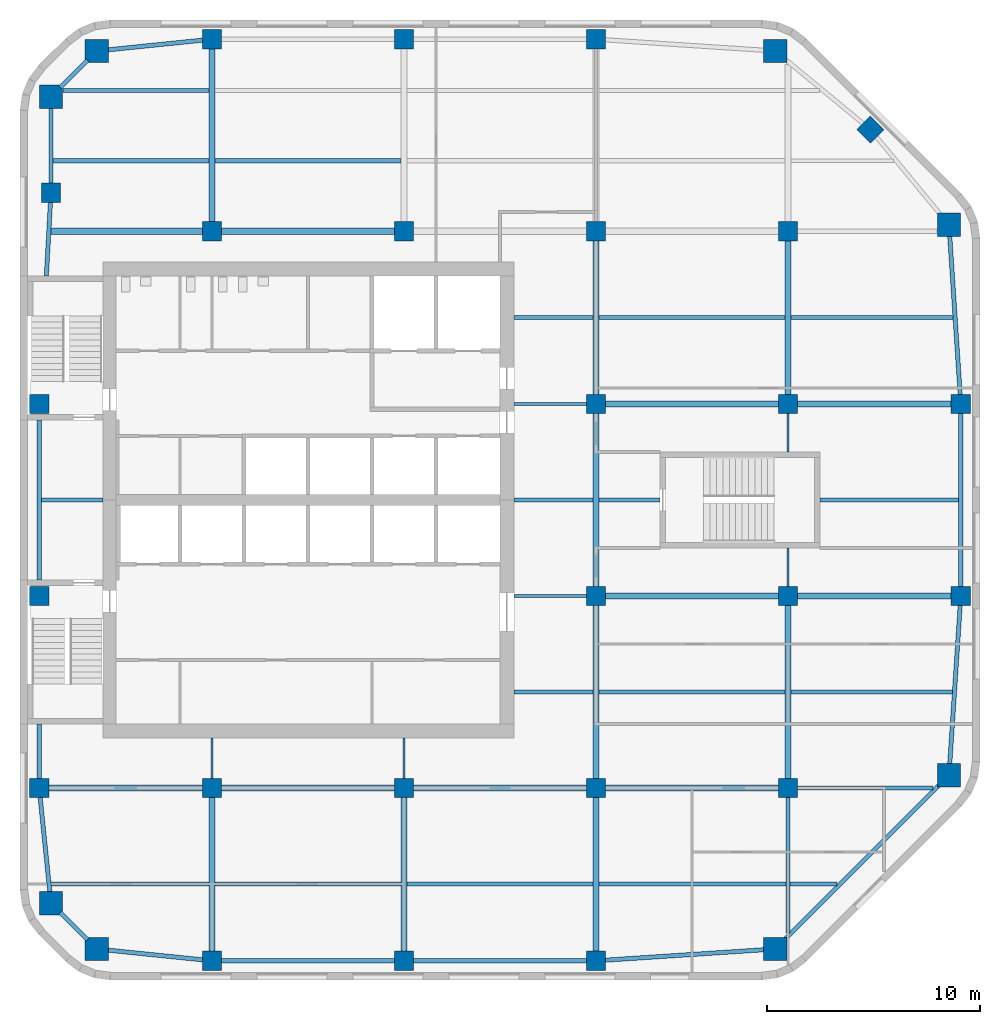
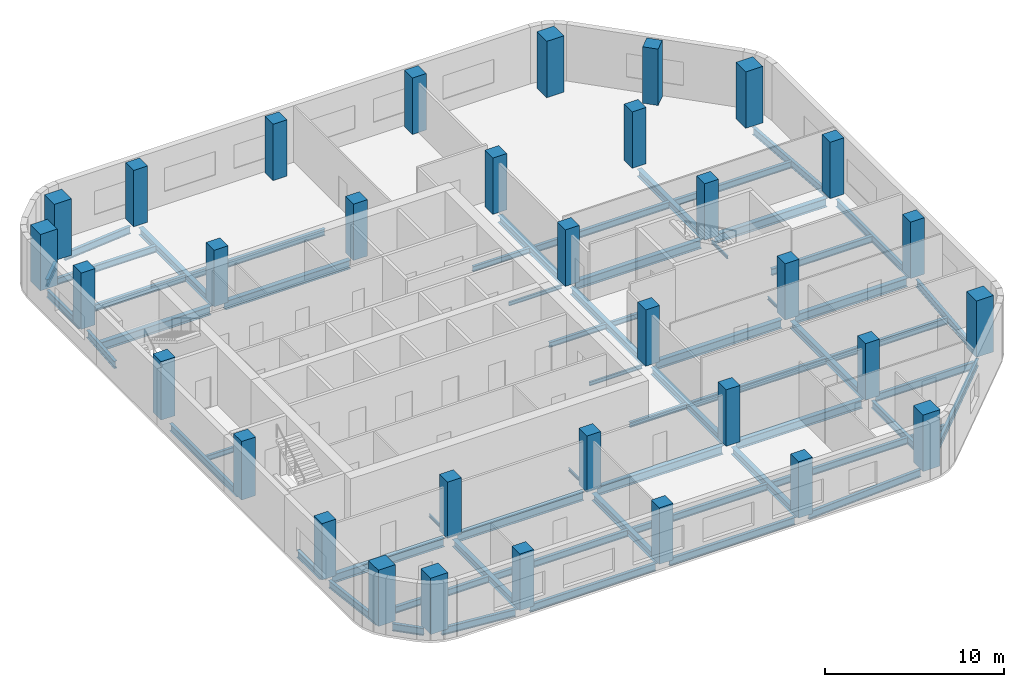
# One storey, part 1 of 7: 61 beams, 33 columns.
"""IFC4 building model written with IfcOpenShell, lengths in metres."""

from ifc_helpers import new_model, si_unit, direction, frame, origin, origin_2d, place, context, subcontext, project, spatial, rectangle, i_section, extrude, material, material_profile, profile_set, type_object, element, save


model = new_model("IFC4")

# Units and contexts
model_context = context("Model", 3, precision=1e-05, world=origin(), true_north=direction((0.0, 1.0)))
body_context = subcontext(model_context, "Body", "Model", "MODEL_VIEW")
ifc_project = project(units=[si_unit("LENGTHUNIT", "METRE"), si_unit("AREAUNIT", "SQUARE_METRE"), si_unit("VOLUMEUNIT", "CUBIC_METRE"), si_unit("PLANEANGLEUNIT", "RADIAN"), si_unit("MASSUNIT", "GRAM", prefix="KILO")], contexts=[model_context])

# Site, building, storey
site_placement = place(None, origin())
site = spatial("IfcSite", under=ifc_project, at=site_placement, CompositionType="ELEMENT")
building_placement = place(site_placement, origin())
building = spatial("IfcBuilding", under=site, at=building_placement, Name="Cinnabar Reach Civic Tower", CompositionType="ELEMENT")
storey_placement = place(building_placement, frame((0.0, 0.0, 173.0)))
storey = spatial("IfcBuildingStorey", under=building, at=storey_placement, Name="L41", CompositionType="ELEMENT", Elevation=173.0)

# Columns
ifc_material_1 = material(Name="Concrete C80", Category="concrete")
ifc_material_profile_1 = material_profile(ifc_material_1, rectangle(XDim=1.1, YDim=1.1, at=origin_2d()), Name="RC1100")
ifc_profile_set_1 = profile_set([ifc_material_profile_1], Name="Concrete C80")
column_type_1 = type_object("IfcColumnType", Name="RC1100 column R 240", PredefinedType="COLUMN", material=ifc_profile_set_1)
for number, where, z_axis, x_axis, name in (
    (1, (3.6019, 10.4531, 0.0), (0.0, 0.0, 1.0), (1.0, 0.0, 0.0), "Column T1-Z3-CC0"),
    (2, (35.3981, 10.4531, 0.0), (0.0, 0.0, 1.0), (1.0, 0.0, 0.0), "Column T1-Z3-CC1"),
    (3, (43.5469, 18.6019, 0.0), (0.0, 0.0, 1.0), (1.0, 0.0, 0.0), "Column T1-Z3-CC2"),
    (4, (43.5469, 44.3981, 0.0), (0.0, 0.0, 1.0), (1.0, 0.0, 0.0), "Column T1-Z3-CC3"),
    (5, (35.3981, 52.5469, 0.0), (0.0, 0.0, 1.0), (1.0, 0.0, 0.0), "Column T1-Z3-CC4"),
    (6, (3.6019, 52.5469, 0.0), (0.0, 0.0, 1.0), (1.0, 0.0, 0.0), "Column T1-Z3-CC5"),
    (7, (1.4531, 50.3981, 0.0), (0.0, 0.0, 1.0), (1.0, 0.0, 0.0), "Column T1-Z3-CC6"),
    (8, (1.4531, 12.6019, 0.0), (0.0, 0.0, 1.0), (1.0, 0.0, 0.0), "Column T1-Z3-CC7"),
):
    element("IfcColumn", number, at=place(storey_placement, frame(where, z_axis=z_axis, x_axis=x_axis)), inside=storey, type_object=column_type_1, Name=name, PredefinedType="COLUMN", context=body_context, shape_type="SweptSolid", body=[
        extrude(rectangle(XDim=1.1, YDim=1.1, at=origin_2d()), origin(), (0.0, 0.0, 1.0), 3.85),
    ])
ifc_material_2 = material(Name="Concrete C70", Category="concrete")
ifc_material_profile_2 = material_profile(ifc_material_2, rectangle(XDim=0.9, YDim=0.9, at=origin_2d()), Name="RC900")
ifc_profile_set_2 = profile_set([ifc_material_profile_2], Name="Concrete C70")
column_type_2 = type_object("IfcColumnType", Name="RC900 column R 240", PredefinedType="COLUMN", material=ifc_profile_set_2)
for number, where, z_axis, x_axis, name in (
    (9, (9.0, 9.9, 0.0), (0.0, 0.0, 1.0), (1.0, 0.0, 0.0), "Column T1-Z3-F0-1"),
    (10, (18.0, 9.9, 0.0), (0.0, 0.0, 1.0), (1.0, 0.0, 0.0), "Column T1-Z3-F0-2"),
    (11, (27.0, 9.9, 0.0), (0.0, 0.0, 1.0), (1.0, 0.0, 0.0), "Column T1-Z3-F0-3"),
    (12, (44.1, 27.0, 0.0), (0.0, 0.0, 1.0), (1.0, 0.0, 0.0), "Column T1-Z3-F2-3"),
    (13, (44.1, 36.0, 0.0), (0.0, 0.0, 1.0), (1.0, 0.0, 0.0), "Column T1-Z3-F2-4"),
    (14, (39.8636, 48.8636, 0.0), (0.0, 0.0, 1.0), (0.707106781187, 0.707106781187, 0.0), "Column T1-Z3-F3-M"),
    (15, (9.0, 53.1, 0.0), (0.0, 0.0, 1.0), (1.0, 0.0, 0.0), "Column T1-Z3-F4-1"),
    (16, (18.0, 53.1, 0.0), (0.0, 0.0, 1.0), (1.0, 0.0, 0.0), "Column T1-Z3-F4-2"),
    (17, (27.0, 53.1, 0.0), (0.0, 0.0, 1.0), (1.0, 0.0, 0.0), "Column T1-Z3-F4-3"),
    (18, (0.9, 18.0, 0.0), (0.0, 0.0, 1.0), (1.0, 0.0, 0.0), "Column T1-Z3-F6-2"),
):
    element("IfcColumn", number, at=place(storey_placement, frame(where, z_axis=z_axis, x_axis=x_axis)), inside=storey, type_object=column_type_2, Name=name, PredefinedType="COLUMN", context=body_context, shape_type="SweptSolid", body=[
        extrude(rectangle(XDim=0.9, YDim=0.9, at=origin_2d()), origin(), (0.0, 0.0, 1.0), 3.85),
    ])
for number, where, z_axis, x_axis, name in (
    (19, (0.9, 27.0, 0.0), (0.0, 0.0, 1.0), (1.0, 0.0, 0.0), "Column T1-Z3-F6-3"),
    (20, (0.9, 36.0, 0.0), (0.0, 0.0, 1.0), (1.0, 0.0, 0.0), "Column T1-Z3-F6-4"),
):
    element("IfcColumn", number, at=place(storey_placement, frame(where, z_axis=z_axis, x_axis=x_axis)), inside=storey, type_object=column_type_2, Name=name, PredefinedType="COLUMN", context=body_context, shape_type="SweptSolid", body=[
        extrude(rectangle(XDim=0.9, YDim=0.9, at=origin_2d()), origin(), (0.0, 0.0, 1.0), 4.0),
    ])
for number, where, z_axis, x_axis, name in (
    (21, (1.4531, 45.8981, 0.0), (0.0, 0.0, 1.0), (1.0, 0.0, 0.0), "Column T1-Z3-F6-5"),
    (22, (9.0, 18.0, 0.0), (0.0, 0.0, 1.0), (1.0, 0.0, 0.0), "Column T1-Z3-I9_18"),
    (23, (9.0, 44.1, 0.0), (0.0, 0.0, 1.0), (1.0, 0.0, 0.0), "Column T1-Z3-I9_45"),
    (24, (18.0, 18.0, 0.0), (0.0, 0.0, 1.0), (1.0, 0.0, 0.0), "Column T1-Z3-I18_18"),
    (25, (18.0, 44.1, 0.0), (0.0, 0.0, 1.0), (1.0, 0.0, 0.0), "Column T1-Z3-I18_45"),
    (26, (27.0, 18.0, 0.0), (0.0, 0.0, 1.0), (1.0, 0.0, 0.0), "Column T1-Z3-I27_18"),
    (27, (27.0, 27.0, 0.0), (0.0, 0.0, 1.0), (1.0, 0.0, 0.0), "Column T1-Z3-I27_27"),
    (28, (27.0, 36.0, 0.0), (0.0, 0.0, 1.0), (1.0, 0.0, 0.0), "Column T1-Z3-I27_36"),
    (29, (27.0, 44.1, 0.0), (0.0, 0.0, 1.0), (1.0, 0.0, 0.0), "Column T1-Z3-I27_45"),
    (30, (36.0, 18.0, 0.0), (0.0, 0.0, 1.0), (1.0, 0.0, 0.0), "Column T1-Z3-I36_18"),
    (31, (36.0, 27.0, 0.0), (0.0, 0.0, 1.0), (1.0, 0.0, 0.0), "Column T1-Z3-I36_27"),
    (32, (36.0, 36.0, 0.0), (0.0, 0.0, 1.0), (1.0, 0.0, 0.0), "Column T1-Z3-I36_36"),
    (33, (36.0, 44.1, 0.0), (0.0, 0.0, 1.0), (1.0, 0.0, 0.0), "Column T1-Z3-I36_45"),
):
    element("IfcColumn", number, at=place(storey_placement, frame(where, z_axis=z_axis, x_axis=x_axis)), inside=storey, type_object=column_type_2, Name=name, PredefinedType="COLUMN", context=body_context, shape_type="SweptSolid", body=[
        extrude(rectangle(XDim=0.9, YDim=0.9, at=origin_2d()), origin(), (0.0, 0.0, 1.0), 3.85),
    ])

# Beams
ifc_material_3 = material(Name="Steel Q355B", Category="steel")
ifc_material_profile_3 = material_profile(ifc_material_3, i_section(OverallWidth=0.3, OverallDepth=0.488, WebThickness=0.011, FlangeThickness=0.018, FilletRadius=0.016, at=origin_2d()), Name="HM488x300x11x18")
ifc_profile_set_3 = profile_set([ifc_material_profile_3], Name="Steel Q355B")
beam_type_1 = type_object("IfcBeamType", Name="HM488x300x11x18 beam R 180", PredefinedType="BEAM", material=ifc_profile_set_3)
beam_1_placement = place(storey_placement, frame((9.0, 10.352, -0.394), z_axis=(0.0, 1.0, 0.0), x_axis=(-1.0, 0.0, 0.0)))
element("IfcBeam", 34, at=beam_1_placement, inside=storey, type_object=beam_type_1, Name="Girder T1 L41 1", PredefinedType="BEAM", context=body_context, shape_type="SweptSolid", body=[
    extrude(i_section(OverallWidth=0.3, OverallDepth=0.488, WebThickness=0.011, FlangeThickness=0.018, FilletRadius=0.016, at=origin_2d()), origin(), (0.0, 0.0, 1.0), 7.196),
])
beam_2_placement = place(storey_placement, frame((9.0, 44.552, -0.394), z_axis=(0.0, 1.0, 0.0), x_axis=(-1.0, 0.0, 0.0)))
element("IfcBeam", 35, at=beam_2_placement, inside=storey, type_object=beam_type_1, Name="Girder T1 L41 3", PredefinedType="BEAM", context=body_context, shape_type="SweptSolid", body=[
    extrude(i_section(OverallWidth=0.3, OverallDepth=0.488, WebThickness=0.011, FlangeThickness=0.018, FilletRadius=0.016, at=origin_2d()), origin(), (0.0, 0.0, 1.0), 8.096),
])
for number, where, z_axis, x_axis, name in (
    (36, (18.0, 10.352, -0.394), (0.0, 1.0, 0.0), (-1.0, 0.0, 0.0), "Girder T1 L41 4"),
    (37, (27.0, 10.352, -0.394), (0.0, 1.0, 0.0), (-1.0, 0.0, 0.0), "Girder T1 L41 7"),
):
    element("IfcBeam", number, at=place(storey_placement, frame(where, z_axis=z_axis, x_axis=x_axis)), inside=storey, type_object=beam_type_1, Name=name, PredefinedType="BEAM", context=body_context, shape_type="SweptSolid", body=[
        extrude(i_section(OverallWidth=0.3, OverallDepth=0.488, WebThickness=0.011, FlangeThickness=0.018, FilletRadius=0.016, at=origin_2d()), origin(), (0.0, 0.0, 1.0), 7.196),
    ])
for number, where, z_axis, x_axis, name in (
    (38, (27.0, 18.452, -0.394), (0.0, 1.0, 0.0), (-1.0, 0.0, 0.0), "Girder T1 L41 8"),
    (39, (27.0, 27.452, -0.394), (0.0, 1.0, 0.0), (-1.0, 0.0, 0.0), "Girder T1 L41 9"),
):
    element("IfcBeam", number, at=place(storey_placement, frame(where, z_axis=z_axis, x_axis=x_axis)), inside=storey, type_object=beam_type_1, Name=name, PredefinedType="BEAM", context=body_context, shape_type="SweptSolid", body=[
        extrude(i_section(OverallWidth=0.3, OverallDepth=0.488, WebThickness=0.011, FlangeThickness=0.018, FilletRadius=0.016, at=origin_2d()), origin(), (0.0, 0.0, 1.0), 8.096),
    ])
beam_3_placement = place(storey_placement, frame((27.0, 36.452, -0.394), z_axis=(0.0, 1.0, 0.0), x_axis=(-1.0, 0.0, 0.0)))
element("IfcBeam", 40, at=beam_3_placement, inside=storey, type_object=beam_type_1, Name="Girder T1 L41 10", PredefinedType="BEAM", context=body_context, shape_type="SweptSolid", body=[
    extrude(i_section(OverallWidth=0.3, OverallDepth=0.488, WebThickness=0.011, FlangeThickness=0.018, FilletRadius=0.016, at=origin_2d()), origin(), (0.0, 0.0, 1.0), 7.196),
])
beam_4_placement = place(storey_placement, frame((36.0, 18.452, -0.394), z_axis=(0.0, 1.0, 0.0), x_axis=(-1.0, 0.0, 0.0)))
element("IfcBeam", 41, at=beam_4_placement, inside=storey, type_object=beam_type_1, Name="Girder T1 L41 13", PredefinedType="BEAM", context=body_context, shape_type="SweptSolid", body=[
    extrude(i_section(OverallWidth=0.3, OverallDepth=0.488, WebThickness=0.011, FlangeThickness=0.018, FilletRadius=0.016, at=origin_2d()), origin(), (0.0, 0.0, 1.0), 8.096),
])
beam_5_placement = place(storey_placement, frame((36.0, 36.452, -0.394), z_axis=(0.0, 1.0, 0.0), x_axis=(-1.0, 0.0, 0.0)))
element("IfcBeam", 42, at=beam_5_placement, inside=storey, type_object=beam_type_1, Name="Girder T1 L41 16", PredefinedType="BEAM", context=body_context, shape_type="SweptSolid", body=[
    extrude(i_section(OverallWidth=0.3, OverallDepth=0.488, WebThickness=0.011, FlangeThickness=0.018, FilletRadius=0.016, at=origin_2d()), origin(), (0.0, 0.0, 1.0), 7.196),
])
ifc_material_profile_4 = material_profile(ifc_material_3, i_section(OverallWidth=0.3, OverallDepth=0.588, WebThickness=0.012, FlangeThickness=0.02, FilletRadius=0.016, at=origin_2d()), Name="HM588x300x12x20")
ifc_profile_set_4 = profile_set([ifc_material_profile_4], Name="Steel Q355B")
beam_type_2 = type_object("IfcBeamType", Name="HM588x300x12x20 beam R 180", PredefinedType="BEAM", material=ifc_profile_set_4)
beam_6_placement = place(storey_placement, frame((1.352, 18.0, -0.444), z_axis=(1.0, 0.0, 0.0), x_axis=(0.0, 1.0, 0.0)))
element("IfcBeam", 43, at=beam_6_placement, inside=storey, type_object=beam_type_2, Name="Girder T1 L41 1", PredefinedType="BEAM", context=body_context, shape_type="SweptSolid", body=[
    extrude(i_section(OverallWidth=0.3, OverallDepth=0.588, WebThickness=0.012, FlangeThickness=0.02, FilletRadius=0.016, at=origin_2d()), origin(), (0.0, 0.0, 1.0), 7.196),
])
for number, where, z_axis, x_axis, name in (
    (44, (9.452, 18.0, -0.444), (1.0, 0.0, 0.0), (0.0, 1.0, 0.0), "Girder T1 L41 2"),
    (45, (18.452, 18.0, -0.444), (1.0, 0.0, 0.0), (0.0, 1.0, 0.0), "Girder T1 L41 3"),
    (46, (27.452, 18.0, -0.444), (1.0, 0.0, 0.0), (0.0, 1.0, 0.0), "Girder T1 L41 4"),
    (47, (27.452, 27.0, -0.444), (1.0, 0.0, 0.0), (0.0, 1.0, 0.0), "Girder T1 L41 7"),
):
    element("IfcBeam", number, at=place(storey_placement, frame(where, z_axis=z_axis, x_axis=x_axis)), inside=storey, type_object=beam_type_2, Name=name, PredefinedType="BEAM", context=body_context, shape_type="SweptSolid", body=[
        extrude(i_section(OverallWidth=0.3, OverallDepth=0.588, WebThickness=0.012, FlangeThickness=0.02, FilletRadius=0.016, at=origin_2d()), origin(), (0.0, 0.0, 1.0), 8.096),
    ])
beam_7_placement = place(storey_placement, frame((36.452, 27.0, -0.444), z_axis=(1.0, 0.0, 0.0), x_axis=(0.0, 1.0, 0.0)))
element("IfcBeam", 48, at=beam_7_placement, inside=storey, type_object=beam_type_2, Name="Girder T1 L41 8", PredefinedType="BEAM", context=body_context, shape_type="SweptSolid", body=[
    extrude(i_section(OverallWidth=0.3, OverallDepth=0.588, WebThickness=0.012, FlangeThickness=0.02, FilletRadius=0.016, at=origin_2d()), origin(), (0.0, 0.0, 1.0), 7.196),
])
beam_8_placement = place(storey_placement, frame((27.452, 36.0, -0.444), z_axis=(1.0, 0.0, 0.0), x_axis=(0.0, 1.0, 0.0)))
element("IfcBeam", 49, at=beam_8_placement, inside=storey, type_object=beam_type_2, Name="Girder T1 L41 10", PredefinedType="BEAM", context=body_context, shape_type="SweptSolid", body=[
    extrude(i_section(OverallWidth=0.3, OverallDepth=0.588, WebThickness=0.012, FlangeThickness=0.02, FilletRadius=0.016, at=origin_2d()), origin(), (0.0, 0.0, 1.0), 8.096),
])
beam_9_placement = place(storey_placement, frame((36.452, 36.0, -0.444), z_axis=(1.0, 0.0, 0.0), x_axis=(0.0, 1.0, 0.0)))
element("IfcBeam", 50, at=beam_9_placement, inside=storey, type_object=beam_type_2, Name="Girder T1 L41 11", PredefinedType="BEAM", context=body_context, shape_type="SweptSolid", body=[
    extrude(i_section(OverallWidth=0.3, OverallDepth=0.588, WebThickness=0.012, FlangeThickness=0.02, FilletRadius=0.016, at=origin_2d()), origin(), (0.0, 0.0, 1.0), 7.196),
])
beam_10_placement = place(storey_placement, frame((1.4548, 44.1, -0.444), z_axis=(1.0, 0.0, 0.0), x_axis=(0.0, 1.0, 0.0)))
element("IfcBeam", 51, at=beam_10_placement, inside=storey, type_object=beam_type_2, Name="Girder T1 L41 12", PredefinedType="BEAM", context=body_context, shape_type="SweptSolid", body=[
    extrude(i_section(OverallWidth=0.3, OverallDepth=0.588, WebThickness=0.012, FlangeThickness=0.02, FilletRadius=0.016, at=origin_2d()), origin(), (0.0, 0.0, 1.0), 7.0932),
])
beam_11_placement = place(storey_placement, frame((9.452, 44.1, -0.444), z_axis=(1.0, 0.0, 0.0), x_axis=(0.0, 1.0, 0.0)))
element("IfcBeam", 52, at=beam_11_placement, inside=storey, type_object=beam_type_2, Name="Girder T1 L41 13", PredefinedType="BEAM", context=body_context, shape_type="SweptSolid", body=[
    extrude(i_section(OverallWidth=0.3, OverallDepth=0.588, WebThickness=0.012, FlangeThickness=0.02, FilletRadius=0.016, at=origin_2d()), origin(), (0.0, 0.0, 1.0), 8.096),
])
ifc_material_profile_5 = material_profile(ifc_material_3, i_section(OverallWidth=0.099, OverallDepth=0.198, WebThickness=0.0045, FlangeThickness=0.007, FilletRadius=0.013, at=origin_2d()), Name="HN200x100x5.5x8")
ifc_profile_set_5 = profile_set([ifc_material_profile_5], Name="Steel Q355B")
beam_type_3 = type_object("IfcBeamType", Name="HN200x100x5.5x8 beam R 180", PredefinedType="BEAM", material=ifc_profile_set_5)
for number, where, z_axis, x_axis, name in (
    (53, (9.0, 18.452, -0.249), (0.0, 1.0, 0.0), (-1.0, 0.0, 0.0), "Girder T1 L41 2"),
    (54, (18.0, 18.452, -0.249), (0.0, 1.0, 0.0), (-1.0, 0.0, 0.0), "Girder T1 L41 5"),
):
    element("IfcBeam", number, at=place(storey_placement, frame(where, z_axis=z_axis, x_axis=x_axis)), inside=storey, type_object=beam_type_3, Name=name, PredefinedType="BEAM", context=body_context, shape_type="SweptSolid", body=[
        extrude(i_section(OverallWidth=0.099, OverallDepth=0.198, WebThickness=0.0045, FlangeThickness=0.007, FilletRadius=0.013, at=origin_2d()), origin(), (0.0, 0.0, 1.0), 1.896),
    ])
for number, where, z_axis, x_axis, name in (
    (55, (36.0, 27.452, -0.249), (0.0, 1.0, 0.0), (-1.0, 0.0, 0.0), "Girder T1 L41 14"),
    (56, (36.0, 33.752, -0.249), (0.0, 1.0, 0.0), (-1.0, 0.0, 0.0), "Girder T1 L41 15"),
):
    element("IfcBeam", number, at=place(storey_placement, frame(where, z_axis=z_axis, x_axis=x_axis)), inside=storey, type_object=beam_type_3, Name=name, PredefinedType="BEAM", context=body_context, shape_type="SweptSolid", body=[
        extrude(i_section(OverallWidth=0.099, OverallDepth=0.198, WebThickness=0.0045, FlangeThickness=0.007, FilletRadius=0.013, at=origin_2d()), origin(), (0.0, 0.0, 1.0), 1.796),
    ])
ifc_material_profile_6 = material_profile(ifc_material_3, i_section(OverallWidth=0.124, OverallDepth=0.248, WebThickness=0.005, FlangeThickness=0.008, FilletRadius=0.013, at=origin_2d()), Name="HN250x125x6x9")
ifc_profile_set_6 = profile_set([ifc_material_profile_6], Name="Steel Q355B")
beam_type_4 = type_object("IfcBeamType", Name="HN250x125x6x9 beam R 180", PredefinedType="BEAM", material=ifc_profile_set_6)
for number, where, z_axis, x_axis, name in (
    (57, (23.152, 27.0, -0.274), (1.0, 0.0, 0.0), (0.0, 1.0, 0.0), "Girder T1 L41 6"),
    (58, (23.152, 36.0, -0.274), (1.0, 0.0, 0.0), (0.0, 1.0, 0.0), "Girder T1 L41 9"),
):
    element("IfcBeam", number, at=place(storey_placement, frame(where, z_axis=z_axis, x_axis=x_axis)), inside=storey, type_object=beam_type_4, Name=name, PredefinedType="BEAM", context=body_context, shape_type="SweptSolid", body=[
        extrude(i_section(OverallWidth=0.124, OverallDepth=0.248, WebThickness=0.005, FlangeThickness=0.008, FilletRadius=0.013, at=origin_2d()), origin(), (0.0, 0.0, 1.0), 3.396),
    ])
ifc_material_profile_7 = material_profile(ifc_material_3, i_section(OverallWidth=0.175, OverallDepth=0.35, WebThickness=0.007, FlangeThickness=0.011, FilletRadius=0.013, at=origin_2d()), Name="HN350x175x7x11")
ifc_profile_set_7 = profile_set([ifc_material_profile_7], Name="Steel Q355B")
beam_type_5 = type_object("IfcBeamType", Name="HN350x175x7x11 beam R 180", PredefinedType="BEAM", material=ifc_profile_set_7)
beam_12_placement = place(storey_placement, frame((36.102, 13.5, -0.325), z_axis=(1.0, 0.0, 0.0), x_axis=(0.0, 1.0, 0.0)))
element("IfcBeam", 59, at=beam_12_placement, inside=storey, type_object=beam_type_5, Name="Secondary beam T1 L41 5", PredefinedType="BEAM", context=body_context, shape_type="SweptSolid", body=[
    extrude(i_section(OverallWidth=0.175, OverallDepth=0.35, WebThickness=0.007, FlangeThickness=0.011, FilletRadius=0.013, at=origin_2d()), origin(), (0.0, 0.0, 1.0), 2.1988),
])
beam_13_placement = place(storey_placement, frame((23.152, 22.5, -0.325), z_axis=(1.0, 0.0, 0.0), x_axis=(0.0, 1.0, 0.0)))
element("IfcBeam", 60, at=beam_13_placement, inside=storey, type_object=beam_type_5, Name="Secondary beam T1 L41 6", PredefinedType="BEAM", context=body_context, shape_type="SweptSolid", body=[
    extrude(i_section(OverallWidth=0.175, OverallDepth=0.35, WebThickness=0.007, FlangeThickness=0.011, FilletRadius=0.013, at=origin_2d()), origin(), (0.0, 0.0, 1.0), 3.696),
])
beam_14_placement = place(storey_placement, frame((1.002, 31.5, -0.325), z_axis=(1.0, 0.0, 0.0), x_axis=(0.0, 1.0, 0.0)))
element("IfcBeam", 61, at=beam_14_placement, inside=storey, type_object=beam_type_5, Name="Secondary beam T1 L41 9", PredefinedType="BEAM", context=body_context, shape_type="SweptSolid", body=[
    extrude(i_section(OverallWidth=0.175, OverallDepth=0.35, WebThickness=0.007, FlangeThickness=0.011, FilletRadius=0.013, at=origin_2d()), origin(), (0.0, 0.0, 1.0), 2.896),
])
beam_15_placement = place(storey_placement, frame((23.152, 31.5, -0.325), z_axis=(1.0, 0.0, 0.0), x_axis=(0.0, 1.0, 0.0)))
element("IfcBeam", 62, at=beam_15_placement, inside=storey, type_object=beam_type_5, Name="Secondary beam T1 L41 10", PredefinedType="BEAM", context=body_context, shape_type="SweptSolid", body=[
    extrude(i_section(OverallWidth=0.175, OverallDepth=0.35, WebThickness=0.007, FlangeThickness=0.011, FilletRadius=0.013, at=origin_2d()), origin(), (0.0, 0.0, 1.0), 3.696),
])
beam_16_placement = place(storey_placement, frame((27.152, 31.5, -0.325), z_axis=(1.0, 0.0, 0.0), x_axis=(0.0, 1.0, 0.0)))
element("IfcBeam", 63, at=beam_16_placement, inside=storey, type_object=beam_type_5, Name="Secondary beam T1 L41 11", PredefinedType="BEAM", context=body_context, shape_type="SweptSolid", body=[
    extrude(i_section(OverallWidth=0.175, OverallDepth=0.35, WebThickness=0.007, FlangeThickness=0.011, FilletRadius=0.013, at=origin_2d()), origin(), (0.0, 0.0, 1.0), 2.846),
])
beam_17_placement = place(storey_placement, frame((23.152, 40.05, -0.325), z_axis=(1.0, 0.0, 0.0), x_axis=(0.0, 1.0, 0.0)))
element("IfcBeam", 64, at=beam_17_placement, inside=storey, type_object=beam_type_5, Name="Secondary beam T1 L41 13", PredefinedType="BEAM", context=body_context, shape_type="SweptSolid", body=[
    extrude(i_section(OverallWidth=0.175, OverallDepth=0.35, WebThickness=0.007, FlangeThickness=0.011, FilletRadius=0.013, at=origin_2d()), origin(), (0.0, 0.0, 1.0), 3.696),
])
ifc_material_profile_8 = material_profile(ifc_material_3, i_section(OverallWidth=0.2, OverallDepth=0.45, WebThickness=0.009, FlangeThickness=0.014, FilletRadius=0.016, at=origin_2d()), Name="HN450x200x9x14")
ifc_profile_set_8 = profile_set([ifc_material_profile_8], Name="Steel Q355B")
beam_type_6 = type_object("IfcBeamType", Name="HN450x200x9x14 beam R 180", PredefinedType="BEAM", material=ifc_profile_set_8)
beam_18_placement = place(storey_placement, frame((1.4636, 13.5, -0.375), z_axis=(1.0, 0.0, 0.0), x_axis=(0.0, 1.0, 0.0)))
element("IfcBeam", 65, at=beam_18_placement, inside=storey, type_object=beam_type_6, Name="Secondary beam T1 L41 1", PredefinedType="BEAM", context=body_context, shape_type="SweptSolid", body=[
    extrude(i_section(OverallWidth=0.2, OverallDepth=0.45, WebThickness=0.009, FlangeThickness=0.014, FilletRadius=0.016, at=origin_2d()), origin(), (0.0, 0.0, 1.0), 7.3844),
])
for number, where, z_axis, x_axis, name in (
    (66, (9.152, 13.5, -0.375), (1.0, 0.0, 0.0), (0.0, 1.0, 0.0), "Secondary beam T1 L41 2"),
    (67, (18.152, 13.5, -0.375), (1.0, 0.0, 0.0), (0.0, 1.0, 0.0), "Secondary beam T1 L41 3"),
):
    element("IfcBeam", number, at=place(storey_placement, frame(where, z_axis=z_axis, x_axis=x_axis)), inside=storey, type_object=beam_type_6, Name=name, PredefinedType="BEAM", context=body_context, shape_type="SweptSolid", body=[
        extrude(i_section(OverallWidth=0.2, OverallDepth=0.45, WebThickness=0.009, FlangeThickness=0.014, FilletRadius=0.016, at=origin_2d()), origin(), (0.0, 0.0, 1.0), 8.696),
    ])
beam_19_placement = place(storey_placement, frame((27.152, 13.5, -0.375), z_axis=(1.0, 0.0, 0.0), x_axis=(0.0, 1.0, 0.0)))
element("IfcBeam", 68, at=beam_19_placement, inside=storey, type_object=beam_type_6, Name="Secondary beam T1 L41 4", PredefinedType="BEAM", context=body_context, shape_type="SweptSolid", body=[
    extrude(i_section(OverallWidth=0.2, OverallDepth=0.45, WebThickness=0.009, FlangeThickness=0.014, FilletRadius=0.016, at=origin_2d()), origin(), (0.0, 0.0, 1.0), 8.746),
])
beam_20_placement = place(storey_placement, frame((27.152, 22.5, -0.375), z_axis=(1.0, 0.0, 0.0), x_axis=(0.0, 1.0, 0.0)))
element("IfcBeam", 69, at=beam_20_placement, inside=storey, type_object=beam_type_6, Name="Secondary beam T1 L41 7", PredefinedType="BEAM", context=body_context, shape_type="SweptSolid", body=[
    extrude(i_section(OverallWidth=0.2, OverallDepth=0.45, WebThickness=0.009, FlangeThickness=0.014, FilletRadius=0.016, at=origin_2d()), origin(), (0.0, 0.0, 1.0), 8.696),
])
beam_21_placement = place(storey_placement, frame((36.152, 22.5, -0.375), z_axis=(1.0, 0.0, 0.0), x_axis=(0.0, 1.0, 0.0)))
element("IfcBeam", 70, at=beam_21_placement, inside=storey, type_object=beam_type_6, Name="Secondary beam T1 L41 8", PredefinedType="BEAM", context=body_context, shape_type="SweptSolid", body=[
    extrude(i_section(OverallWidth=0.2, OverallDepth=0.45, WebThickness=0.009, FlangeThickness=0.014, FilletRadius=0.016, at=origin_2d()), origin(), (0.0, 0.0, 1.0), 7.5494),
])
beam_22_placement = place(storey_placement, frame((37.502, 31.5, -0.375), z_axis=(1.0, 0.0, 0.0), x_axis=(0.0, 1.0, 0.0)))
element("IfcBeam", 71, at=beam_22_placement, inside=storey, type_object=beam_type_6, Name="Secondary beam T1 L41 12", PredefinedType="BEAM", context=body_context, shape_type="SweptSolid", body=[
    extrude(i_section(OverallWidth=0.2, OverallDepth=0.45, WebThickness=0.009, FlangeThickness=0.014, FilletRadius=0.016, at=origin_2d()), origin(), (0.0, 0.0, 1.0), 6.496),
])
beam_23_placement = place(storey_placement, frame((27.152, 40.05, -0.375), z_axis=(1.0, 0.0, 0.0), x_axis=(0.0, 1.0, 0.0)))
element("IfcBeam", 72, at=beam_23_placement, inside=storey, type_object=beam_type_6, Name="Secondary beam T1 L41 14", PredefinedType="BEAM", context=body_context, shape_type="SweptSolid", body=[
    extrude(i_section(OverallWidth=0.2, OverallDepth=0.45, WebThickness=0.009, FlangeThickness=0.014, FilletRadius=0.016, at=origin_2d()), origin(), (0.0, 0.0, 1.0), 8.696),
])
beam_24_placement = place(storey_placement, frame((36.152, 40.05, -0.375), z_axis=(1.0, 0.0, 0.0), x_axis=(0.0, 1.0, 0.0)))
element("IfcBeam", 73, at=beam_24_placement, inside=storey, type_object=beam_type_6, Name="Secondary beam T1 L41 15", PredefinedType="BEAM", context=body_context, shape_type="SweptSolid", body=[
    extrude(i_section(OverallWidth=0.2, OverallDepth=0.45, WebThickness=0.009, FlangeThickness=0.014, FilletRadius=0.016, at=origin_2d()), origin(), (0.0, 0.0, 1.0), 7.579),
])
beam_25_placement = place(storey_placement, frame((1.5551, 47.4, -0.375), z_axis=(1.0, 0.0, 0.0), x_axis=(0.0, 1.0, 0.0)))
element("IfcBeam", 74, at=beam_25_placement, inside=storey, type_object=beam_type_6, Name="Secondary beam T1 L41 16", PredefinedType="BEAM", context=body_context, shape_type="SweptSolid", body=[
    extrude(i_section(OverallWidth=0.2, OverallDepth=0.45, WebThickness=0.009, FlangeThickness=0.014, FilletRadius=0.016, at=origin_2d()), origin(), (0.0, 0.0, 1.0), 7.2929),
])
beam_26_placement = place(storey_placement, frame((9.152, 47.4, -0.375), z_axis=(1.0, 0.0, 0.0), x_axis=(0.0, 1.0, 0.0)))
element("IfcBeam", 75, at=beam_26_placement, inside=storey, type_object=beam_type_6, Name="Secondary beam T1 L41 17", PredefinedType="BEAM", context=body_context, shape_type="SweptSolid", body=[
    extrude(i_section(OverallWidth=0.2, OverallDepth=0.45, WebThickness=0.009, FlangeThickness=0.014, FilletRadius=0.016, at=origin_2d()), origin(), (0.0, 0.0, 1.0), 8.696),
])
beam_27_placement = place(storey_placement, frame((2.0051, 50.7, -0.375), z_axis=(1.0, 0.0, 0.0), x_axis=(0.0, 1.0, 0.0)))
element("IfcBeam", 76, at=beam_27_placement, inside=storey, type_object=beam_type_6, Name="Secondary beam T1 L41 21", PredefinedType="BEAM", context=body_context, shape_type="SweptSolid", body=[
    extrude(i_section(OverallWidth=0.2, OverallDepth=0.45, WebThickness=0.009, FlangeThickness=0.014, FilletRadius=0.016, at=origin_2d()), origin(), (0.0, 0.0, 1.0), 6.8429),
])
ifc_material_profile_9 = material_profile(ifc_material_3, i_section(OverallWidth=0.2, OverallDepth=0.5, WebThickness=0.01, FlangeThickness=0.016, FilletRadius=0.016, at=origin_2d()), Name="HN500x200x10x16")
ifc_profile_set_9 = profile_set([ifc_material_profile_9], Name="Steel Q355B")
beam_type_7 = type_object("IfcBeamType", Name="HN500x200x10x16 beam R 180", PredefinedType="BEAM", material=ifc_profile_set_9)
beam_28_placement = place(storey_placement, frame((4.0339, 10.4088, -0.4), z_axis=(0.994792272495, -0.101923179821, 0.0), x_axis=(0.101923179821, 0.994792272495, 0.0)))
element("IfcBeam", 77, at=beam_28_placement, inside=storey, type_object=beam_type_7, Name="Edge beam T1 L41 1", PredefinedType="BEAM", context=body_context, shape_type="SweptSolid", body=[
    extrude(i_section(OverallWidth=0.2, OverallDepth=0.5, WebThickness=0.01, FlangeThickness=0.016, FilletRadius=0.016, at=origin_2d()), origin(), (0.0, 0.0, 1.0), 4.5377),
])
for number, where, z_axis, x_axis, name in (
    (78, (9.452, 9.9, -0.4), (1.0, 0.0, 0.0), (0.0, 1.0, 0.0), "Edge beam T1 L41 2"),
    (79, (18.452, 9.9, -0.4), (1.0, 0.0, 0.0), (0.0, 1.0, 0.0), "Edge beam T1 L41 3"),
):
    element("IfcBeam", number, at=place(storey_placement, frame(where, z_axis=z_axis, x_axis=x_axis)), inside=storey, type_object=beam_type_7, Name=name, PredefinedType="BEAM", context=body_context, shape_type="SweptSolid", body=[
        extrude(i_section(OverallWidth=0.2, OverallDepth=0.5, WebThickness=0.01, FlangeThickness=0.016, FilletRadius=0.016, at=origin_2d()), origin(), (0.0, 0.0, 1.0), 8.096),
    ])
beam_29_placement = place(storey_placement, frame((27.452, 9.9298, -0.4), z_axis=(0.99783894477, 0.065707231721, 0.0), x_axis=(-0.065707231721, 0.99783894477, 0.0)))
element("IfcBeam", 80, at=beam_29_placement, inside=storey, type_object=beam_type_7, Name="Edge beam T1 L41 4", PredefinedType="BEAM", context=body_context, shape_type="SweptSolid", body=[
    extrude(i_section(OverallWidth=0.2, OverallDepth=0.5, WebThickness=0.01, FlangeThickness=0.016, FilletRadius=0.016, at=origin_2d()), origin(), (0.0, 0.0, 1.0), 7.5304),
])
beam_30_placement = place(storey_placement, frame((35.8301, 10.8851, -0.4), z_axis=(0.707106781187, 0.707106781187, 0.0), x_axis=(-0.707106781187, 0.707106781187, 0.0)))
element("IfcBeam", 81, at=beam_30_placement, inside=storey, type_object=beam_type_7, Name="Edge beam T1 L41 5", PredefinedType="BEAM", context=body_context, shape_type="SweptSolid", body=[
    extrude(i_section(OverallWidth=0.2, OverallDepth=0.5, WebThickness=0.01, FlangeThickness=0.016, FilletRadius=0.016, at=origin_2d()), origin(), (0.0, 0.0, 1.0), 10.3023),
])
beam_31_placement = place(storey_placement, frame((43.5754, 19.0339, -0.4), z_axis=(0.065707231721, 0.99783894477, 0.0), x_axis=(-0.99783894477, 0.065707231721, 0.0)))
element("IfcBeam", 82, at=beam_31_placement, inside=storey, type_object=beam_type_7, Name="Edge beam T1 L41 6", PredefinedType="BEAM", context=body_context, shape_type="SweptSolid", body=[
    extrude(i_section(OverallWidth=0.2, OverallDepth=0.5, WebThickness=0.01, FlangeThickness=0.016, FilletRadius=0.016, at=origin_2d()), origin(), (0.0, 0.0, 1.0), 7.5304),
])
beam_32_placement = place(storey_placement, frame((44.1, 27.452, -0.4), z_axis=(0.0, 1.0, 0.0), x_axis=(-1.0, 0.0, 0.0)))
element("IfcBeam", 83, at=beam_32_placement, inside=storey, type_object=beam_type_7, Name="Edge beam T1 L41 7", PredefinedType="BEAM", context=body_context, shape_type="SweptSolid", body=[
    extrude(i_section(OverallWidth=0.2, OverallDepth=0.5, WebThickness=0.01, FlangeThickness=0.016, FilletRadius=0.016, at=origin_2d()), origin(), (0.0, 0.0, 1.0), 8.096),
])
beam_33_placement = place(storey_placement, frame((44.0702, 36.452, -0.4), z_axis=(-0.065707231721, 0.99783894477, 0.0), x_axis=(-0.99783894477, -0.065707231721, 0.0)))
element("IfcBeam", 84, at=beam_33_placement, inside=storey, type_object=beam_type_7, Name="Edge beam T1 L41 8", PredefinedType="BEAM", context=body_context, shape_type="SweptSolid", body=[
    extrude(i_section(OverallWidth=0.2, OverallDepth=0.5, WebThickness=0.01, FlangeThickness=0.016, FilletRadius=0.016, at=origin_2d()), origin(), (0.0, 0.0, 1.0), 7.5304),
])
beam_34_placement = place(storey_placement, frame((8.548, 53.0537, -0.4), z_axis=(-0.994792272495, -0.101923179821, 0.0), x_axis=(0.101923179821, -0.994792272495, 0.0)))
element("IfcBeam", 85, at=beam_34_placement, inside=storey, type_object=beam_type_7, Name="Edge beam T1 L41 14", PredefinedType="BEAM", context=body_context, shape_type="SweptSolid", body=[
    extrude(i_section(OverallWidth=0.2, OverallDepth=0.5, WebThickness=0.01, FlangeThickness=0.016, FilletRadius=0.016, at=origin_2d()), origin(), (0.0, 0.0, 1.0), 4.5377),
])
beam_35_placement = place(storey_placement, frame((3.1699, 52.1149, -0.4), z_axis=(-0.707106781187, -0.707106781187, 0.0), x_axis=(0.707106781187, -0.707106781187, 0.0)))
element("IfcBeam", 86, at=beam_35_placement, inside=storey, type_object=beam_type_7, Name="Edge beam T1 L41 15", PredefinedType="BEAM", context=body_context, shape_type="SweptSolid", body=[
    extrude(i_section(OverallWidth=0.2, OverallDepth=0.5, WebThickness=0.01, FlangeThickness=0.016, FilletRadius=0.016, at=origin_2d()), origin(), (0.0, 0.0, 1.0), 1.817),
])
beam_36_placement = place(storey_placement, frame((1.4531, 49.9661, -0.4), z_axis=(0.0, -1.0, 0.0), x_axis=(1.0, 0.0, 0.0)))
element("IfcBeam", 87, at=beam_36_placement, inside=storey, type_object=beam_type_7, Name="Edge beam T1 L41 16", PredefinedType="BEAM", context=body_context, shape_type="SweptSolid", body=[
    extrude(i_section(OverallWidth=0.2, OverallDepth=0.5, WebThickness=0.01, FlangeThickness=0.016, FilletRadius=0.016, at=origin_2d()), origin(), (0.0, 0.0, 1.0), 3.616),
])
beam_37_placement = place(storey_placement, frame((1.4278, 45.4461, -0.4), z_axis=(-0.0557766862, -0.998443268932, 0.0), x_axis=(0.998443268932, -0.0557766862, 0.0)))
element("IfcBeam", 88, at=beam_37_placement, inside=storey, type_object=beam_type_7, Name="Edge beam T1 L41 17", PredefinedType="BEAM", context=body_context, shape_type="SweptSolid", body=[
    extrude(i_section(OverallWidth=0.2, OverallDepth=0.5, WebThickness=0.01, FlangeThickness=0.016, FilletRadius=0.016, at=origin_2d()), origin(), (0.0, 0.0, 1.0), 3.4495),
])
beam_38_placement = place(storey_placement, frame((0.9, 35.248, -0.4), z_axis=(0.0, -1.0, 0.0), x_axis=(1.0, 0.0, 0.0)))
element("IfcBeam", 89, at=beam_38_placement, inside=storey, type_object=beam_type_7, Name="Edge beam T1 L41 18", PredefinedType="BEAM", context=body_context, shape_type="SweptSolid", body=[
    extrude(i_section(OverallWidth=0.2, OverallDepth=0.5, WebThickness=0.01, FlangeThickness=0.016, FilletRadius=0.016, at=origin_2d()), origin(), (0.0, 0.0, 1.0), 7.496),
])
beam_39_placement = place(storey_placement, frame((0.9, 20.998, -0.4), z_axis=(0.0, -1.0, 0.0), x_axis=(1.0, 0.0, 0.0)))
element("IfcBeam", 90, at=beam_39_placement, inside=storey, type_object=beam_type_7, Name="Edge beam T1 L41 19", PredefinedType="BEAM", context=body_context, shape_type="SweptSolid", body=[
    extrude(i_section(OverallWidth=0.2, OverallDepth=0.5, WebThickness=0.01, FlangeThickness=0.016, FilletRadius=0.016, at=origin_2d()), origin(), (0.0, 0.0, 1.0), 2.546),
])
beam_40_placement = place(storey_placement, frame((0.9463, 17.548, -0.4), z_axis=(0.101923179821, -0.994792272495, 0.0), x_axis=(0.994792272495, 0.101923179821, 0.0)))
element("IfcBeam", 91, at=beam_40_placement, inside=storey, type_object=beam_type_7, Name="Edge beam T1 L41 20", PredefinedType="BEAM", context=body_context, shape_type="SweptSolid", body=[
    extrude(i_section(OverallWidth=0.2, OverallDepth=0.5, WebThickness=0.01, FlangeThickness=0.016, FilletRadius=0.016, at=origin_2d()), origin(), (0.0, 0.0, 1.0), 4.5377),
])
beam_41_placement = place(storey_placement, frame((1.8851, 12.1699, -0.4), z_axis=(0.707106781187, -0.707106781187, 0.0), x_axis=(0.707106781187, 0.707106781187, 0.0)))
element("IfcBeam", 92, at=beam_41_placement, inside=storey, type_object=beam_type_7, Name="Edge beam T1 L41 21", PredefinedType="BEAM", context=body_context, shape_type="SweptSolid", body=[
    extrude(i_section(OverallWidth=0.2, OverallDepth=0.5, WebThickness=0.01, FlangeThickness=0.016, FilletRadius=0.016, at=origin_2d()), origin(), (0.0, 0.0, 1.0), 1.817),
])
for number, where, z_axis, x_axis, name in (
    (93, (36.452, 18.0, -0.4), (1.0, 0.0, 0.0), (0.0, 1.0, 0.0), "Girder T1 L41 5"),
    (94, (36.0, 11.1992, -0.4), (0.0, 1.0, 0.0), (-1.0, 0.0, 0.0), "Girder T1 L41 12"),
):
    element("IfcBeam", number, at=place(storey_placement, frame(where, z_axis=z_axis, x_axis=x_axis)), inside=storey, type_object=beam_type_7, Name=name, PredefinedType="BEAM", context=body_context, shape_type="SweptSolid", body=[
        extrude(i_section(OverallWidth=0.2, OverallDepth=0.5, WebThickness=0.01, FlangeThickness=0.016, FilletRadius=0.016, at=origin_2d()), origin(), (0.0, 0.0, 1.0), 6.3488),
    ])

save(model, "model.ifc")
